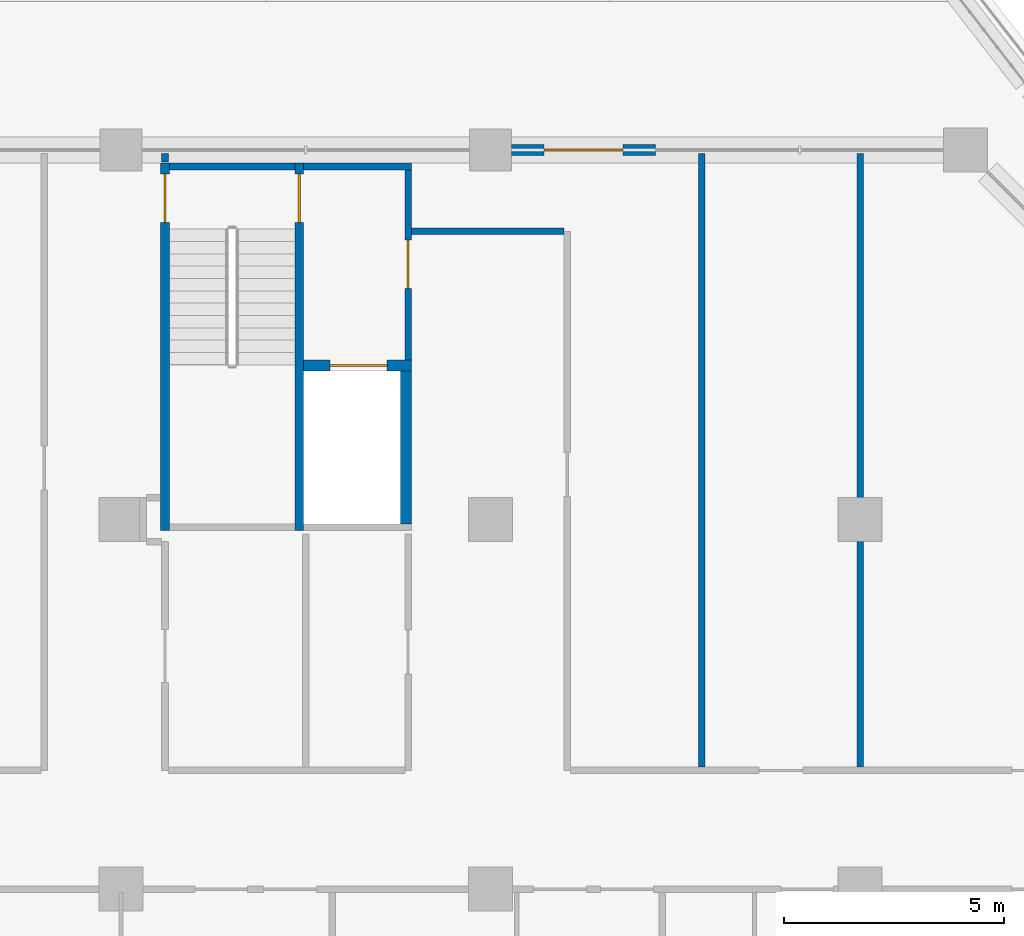
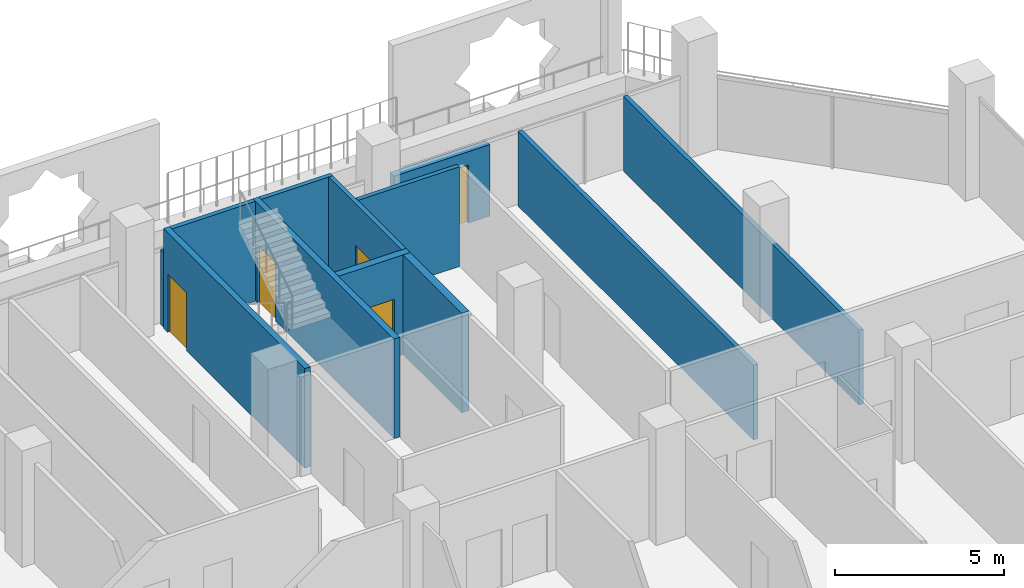
# One storey, part 14 of 22: 12 walls, 5 doors, 5 openings.
"""IFC4 building model written with IfcOpenShell, lengths in metres."""

from ifc_helpers import new_model, si_unit, direction, frame, frame_2d, origin, place, context, subcontext, project, spatial, rectangle, extrude, material, layer, layer_set, type_object, element, fill, save


model = new_model("IFC4")

# Units and contexts
model_context = context("Model", 3, precision=1e-05, world=origin(), true_north=direction((0.0, 1.0)))
body_context = subcontext(model_context, "Body", "Model", "MODEL_VIEW")
ifc_project = project(units=[si_unit("LENGTHUNIT", "METRE"), si_unit("AREAUNIT", "SQUARE_METRE"), si_unit("VOLUMEUNIT", "CUBIC_METRE"), si_unit("PLANEANGLEUNIT", "RADIAN"), si_unit("MASSUNIT", "GRAM", prefix="KILO")], contexts=[model_context])

# Site, building, storey
site_placement = place(None, origin())
site = spatial("IfcSite", under=ifc_project, at=site_placement, CompositionType="ELEMENT")
building_placement = place(site_placement, origin())
building = spatial("IfcBuilding", under=site, at=building_placement, Name="Kawkab Arch Medical Tower", CompositionType="ELEMENT")
storey_placement = place(building_placement, frame((0.0, 0.0, 204.60009765625)))
storey = spatial("IfcBuildingStorey", under=building, at=storey_placement, Name="L47", CompositionType="ELEMENT", Elevation=204.60009765625)

# Wall, opening, door
ifc_material_1 = material(Name="Gypsum board on steel studs", Category="steel")
ifc_layer_1 = layer(ifc_material_1, 0.14990234375)
ifc_layer_set_1 = layer_set([ifc_layer_1], Name="Gypsum board on steel studs")
wall_type_1 = type_object("IfcWallType", Name="Core room partition 150", PredefinedType="PARTITIONING", material=ifc_layer_set_1)
wall_1_placement = place(storey_placement, frame((48.52490234375, -4.77490234375, 0.0), z_axis=(0.0, 0.0, 1.0), x_axis=(0.0, 1.0, 0.0)))
wall_1 = element("IfcWall", 1, at=wall_1_placement, inside=storey, type_object=wall_type_1, Name="L47 core room partition", PredefinedType="PARTITIONING", context=body_context, shape_type="SweptSolid", body=[
    extrude(rectangle(XDim=4.324951171875, YDim=0.14990234375, at=frame_2d((2.16259765625, 0.0))), origin(), (0.0, 0.0, 1.0), 3.599853515625),
])
opening_1_placement = place(wall_1_placement, frame((1.625, 0.0, 0.0)))
opening_1 = element("IfcOpeningElement", 2, at=opening_1_placement, cuts=wall_1, Name="Opening FD", PredefinedType="OPENING", context=body_context, shape_type="SweptSolid", body=[
    extrude(rectangle(XDim=1.10009765625, YDim=2.10009765625, at=frame_2d((0.550048828125, 1.050048828125))), frame((0.0, 0.0849609375, 0.0), z_axis=(0.0, -1.0, 0.0), x_axis=(1.0, 0.0, 0.0)), (0.0, 0.0, 1.0), 0.169921875),
])
ifc_material_2 = material(Name="Hollow metal fire door leaf")
door_type_1 = type_object("IfcDoorType", Name="Firefighting lobby door 1100", OperationType="SINGLE_SWING_LEFT", PredefinedType="DOOR", material=ifc_material_2)
door_1_placement = place(opening_1_placement, origin())
door_1 = element("IfcDoor", 3, at=door_1_placement, inside=storey, type_object=door_type_1, Name="L47 Service lift lobby door SV1", OperationType="SINGLE_SWING_LEFT", OverallHeight=2.10009765625, OverallWidth=1.10009765625, PredefinedType="DOOR", context=body_context, shape_type="SweptSolid", body=[
    extrude(rectangle(XDim=1.10009765625, YDim=2.10009765625, at=frame_2d((0.550048828125, 1.050048828125))), frame((0.0, 0.02490234375, 0.0), z_axis=(0.0, -1.0, 0.0), x_axis=(1.0, 0.0, 0.0)), (0.0, 0.0, 1.0), 0.050048828125),
])
fill(opening_1, door_1)

ifc_material_3 = material(Name="Concrete C60/75", Category="concrete")
ifc_layer_2 = layer(ifc_material_3, 0.25)
ifc_layer_set_2 = layer_set([ifc_layer_2], Name="Concrete C60/75")
wall_type_2 = type_object("IfcWallType", Name="Core shear wall 250 C60/75", PredefinedType="SHEAR", material=ifc_layer_set_2)
wall_2_placement = place(storey_placement, frame((46.14990234375, -4.89990234375, 0.0), z_axis=(0.0, 0.0, 1.0), x_axis=(1.0, 0.0, 0.0)))
wall_2 = element("IfcWall", 4, at=wall_2_placement, inside=storey, type_object=wall_type_2, Name="L47 core shear wall", PredefinedType="SHEAR", context=body_context, shape_type="SweptSolid", body=[
    extrude(rectangle(XDim=2.4501953125, YDim=0.25, at=frame_2d((1.22509765625, 0.0))), origin(), (0.0, 0.0, 1.0), 3.599853515625),
])
opening_2_placement = place(wall_2_placement, frame((0.60009765625, 0.0, 0.0)))
opening_2 = element("IfcOpeningElement", 5, at=opening_2_placement, cuts=wall_2, Name="Opening LD2", PredefinedType="OPENING", context=body_context, shape_type="SweptSolid", body=[
    extrude(rectangle(XDim=1.300048828125, YDim=2.10009765625, at=frame_2d((0.64990234375, 1.050048828125))), frame((0.0, 0.135009765625, 0.0), z_axis=(0.0, -1.0, 0.0), x_axis=(1.0, 0.0, 0.0)), (0.0, 0.0, 1.0), 0.27001953125),
])
ifc_material_4 = material(Name="Stainless steel lift door leaf", Category="steel")
door_type_2 = type_object("IfcDoorType", Name="Lift landing door 1300", OperationType="DOUBLE_DOOR_SLIDING", PredefinedType="DOOR", material=ifc_material_4)
door_2_placement = place(opening_2_placement, origin())
door_2 = element("IfcDoor", 6, at=door_2_placement, inside=storey, type_object=door_type_2, Name="L47 Lift landing door SV1", OperationType="DOUBLE_DOOR_SLIDING", OverallHeight=2.10009765625, OverallWidth=1.300048828125, PredefinedType="DOOR", context=body_context, shape_type="SweptSolid", body=[
    extrude(rectangle(XDim=1.300048828125, YDim=2.10009765625, at=frame_2d((0.64990234375, 1.050048828125))), frame((0.0, 0.02490234375, 0.0), z_axis=(0.0, -1.0, 0.0), x_axis=(1.0, 0.0, 0.0)), (0.0, 0.0, 1.0), 0.050048828125),
])
fill(opening_2, door_2)

# Wall
wall_3_placement = place(storey_placement, frame((48.47509765625, -8.5, 0.0), z_axis=(0.0, 0.0, 1.0), x_axis=(0.0, 1.0, 0.0)))
element("IfcWall", 7, at=wall_3_placement, inside=storey, type_object=wall_type_2, Name="L47 core shear wall", PredefinedType="SHEAR", context=body_context, shape_type="SweptSolid", body=[
    extrude(rectangle(XDim=3.47509765625, YDim=0.25, at=frame_2d((1.737548828125, 0.0))), origin(), (0.0, 0.0, 1.0), 3.599853515625),
])

# Wall, opening, door
ifc_material_5 = material(Name="Bronze clad insulated wall panel")
ifc_layer_3 = layer(ifc_material_5, 0.25)
ifc_layer_set_3 = layer_set([ifc_layer_3], Name="Bronze clad insulated wall panel")
wall_type_3 = type_object("IfcWallType", Name="External wall bay 250", PredefinedType="SOLIDWALL", material=ifc_layer_set_3)
wall_4_placement = place(storey_placement, frame((54.14990234375, 0.0, 0.0), z_axis=(0.0, 0.0, 1.0), x_axis=(-1.0, 0.0, 0.0)))
wall_4 = element("IfcWall", 8, at=wall_4_placement, inside=storey, type_object=wall_type_3, Name="External wall bay L47.R11.1.3", PredefinedType="SOLIDWALL", context=body_context, shape_type="SweptSolid", body=[
    extrude(rectangle(XDim=3.27490234375, YDim=0.25, at=frame_2d((1.637451171875, 0.0))), origin(), (0.0, 0.0, 1.0), 2.579833984375),
])
opening_3_placement = place(wall_4_placement, frame((0.737548828125, 0.0, 0.0)))
opening_3 = element("IfcOpeningElement", 9, at=opening_3_placement, cuts=wall_4, Name="Opening W42-701", PredefinedType="OPENING", context=body_context, shape_type="SweptSolid", body=[
    extrude(rectangle(XDim=1.800048828125, YDim=2.10009765625, at=frame_2d((0.89990234375, 1.050048828125))), frame((0.0, 0.135009765625, 0.0), z_axis=(0.0, -1.0, 0.0), x_axis=(1.0, 0.0, 0.0)), (0.0, 0.0, 1.0), 0.27001953125),
])
ifc_material_6 = material(Name="Bronze anodised aluminium door with tinted glass", Category="aluminium")
door_type_3 = type_object("IfcDoorType", Name="Double external door 1800 x 2100", OperationType="DOUBLE_DOOR_SINGLE_SWING", PredefinedType="DOOR", material=ifc_material_6)
door_3_placement = place(opening_3_placement, origin())
door_3 = element("IfcDoor", 10, at=door_3_placement, inside=storey, type_object=door_type_3, Name="External door L47.R11.1.3", OperationType="DOUBLE_DOOR_SINGLE_SWING", OverallHeight=2.10009765625, OverallWidth=1.800048828125, PredefinedType="DOOR", context=body_context, shape_type="SweptSolid", body=[
    extrude(rectangle(XDim=1.800048828125, YDim=2.10009765625, at=frame_2d((0.89990234375, 1.050048828125))), frame((0.0, 0.02490234375, 0.0), z_axis=(0.0, -1.0, 0.0), x_axis=(1.0, 0.0, 0.0)), (0.0, 0.0, 1.0), 0.050048828125),
])
fill(opening_3, door_3)

# Walls
ifc_material_7 = material(Name="Gypsum board partition on steel studs, mineral wool", Category="steel")
ifc_layer_4 = layer(ifc_material_7, 0.14990234375)
ifc_layer_set_4 = layer_set([ifc_layer_4], Name="Gypsum board partition on steel studs, mineral wool")
wall_type_4 = type_object("IfcWallType", Name="Partition 150", PredefinedType="PARTITIONING", material=ifc_layer_set_4)
wall_5_placement = place(storey_placement, frame((48.60009765625, -1.85009765625, 0.0), z_axis=(0.0, 0.0, 1.0), x_axis=(1.0, 0.0, 0.0)))
element("IfcWall", 11, at=wall_5_placement, inside=storey, type_object=wall_type_4, Name="Partition 150 w030", PredefinedType="PARTITIONING", context=body_context, shape_type="SweptSolid", body=[
    extrude(rectangle(XDim=3.4658203125, YDim=0.14990234375, at=frame_2d((1.73291015625, 0.0))), origin(), (0.0, 0.0, 1.0), 3.599853515625),
])
wall_6_placement = place(storey_placement, frame((43.0, -0.27001953125, 0.0), z_axis=(0.0, 0.0, 1.0), x_axis=(0.0, 1.0, 0.0)))
element("IfcWall", 12, at=wall_6_placement, inside=storey, type_object=wall_type_4, Name="Partition 150 w053", PredefinedType="PARTITIONING", context=body_context, shape_type="SweptSolid", body=[
    extrude(rectangle(XDim=0.18994140625, YDim=0.14990234375, at=frame_2d((0.094970703125, 0.0))), origin(), (0.0, 0.0, 1.0), 2.699951171875),
])
for number, where, z_axis, x_axis, name in (
    (13, (55.199951171875, -14.02490234375, 0.0), (0.0, 0.0, 1.0), (0.0, 1.0, 0.0), "Partition 150 w059"),
    (14, (58.800048828125, -14.02490234375, 0.0), (0.0, 0.0, 1.0), (0.0, 1.0, 0.0), "Partition 150 w061"),
):
    element("IfcWall", number, at=place(storey_placement, frame(where, z_axis=z_axis, x_axis=x_axis)), inside=storey, type_object=wall_type_4, Name=name, PredefinedType="PARTITIONING", context=body_context, shape_type="SweptSolid", body=[
        extrude(rectangle(XDim=13.94482421875, YDim=0.14990234375, at=frame_2d((6.972412109375, 0.0))), origin(), (0.0, 0.0, 1.0), 2.699951171875),
    ])
ifc_material_8 = material(Name="Concrete C50/60", Category="concrete")
ifc_layer_5 = layer(ifc_material_8, 0.14990234375)
ifc_layer_set_5 = layer_set([ifc_layer_5], Name="Concrete C50/60")
wall_type_5 = type_object("IfcWallType", Name="Stair enclosure wall 150 C50/60", PredefinedType="SHEAR", material=ifc_layer_set_5)
wall_7_placement = place(storey_placement, frame((43.10009765625, -0.375, 0.0), z_axis=(0.0, 0.0, 1.0), x_axis=(1.0, 0.0, 0.0)))
element("IfcWall", 15, at=wall_7_placement, inside=storey, type_object=wall_type_5, Name="L47 stair enclosure wall", PredefinedType="SHEAR", context=body_context, shape_type="SweptSolid", body=[
    extrude(rectangle(XDim=2.849853515625, YDim=0.14990234375, at=frame_2d((1.4248046875, 0.0))), origin(), (0.0, 0.0, 1.0), 3.599853515625),
])
wall_8_placement = place(storey_placement, frame((46.14990234375, -0.375, 0.0), z_axis=(0.0, 0.0, 1.0), x_axis=(1.0, 0.0, 0.0)))
element("IfcWall", 16, at=wall_8_placement, inside=storey, type_object=wall_type_5, Name="L47 stair enclosure wall", PredefinedType="SHEAR", context=body_context, shape_type="SweptSolid", body=[
    extrude(rectangle(XDim=2.4501953125, YDim=0.14990234375, at=frame_2d((1.22509765625, 0.0))), origin(), (0.0, 0.0, 1.0), 3.599853515625),
])

# Wall, opening, door
ifc_material_9 = material(Name="Concrete C50/60", Category="concrete")
ifc_layer_6 = layer(ifc_material_9, 0.199951171875)
ifc_layer_set_6 = layer_set([ifc_layer_6], Name="Concrete C50/60")
wall_type_6 = type_object("IfcWallType", Name="Stair enclosure wall 200 C50/60", PredefinedType="SHEAR", material=ifc_layer_set_6)
wall_9_placement = place(storey_placement, frame((43.0, -8.64990234375, 0.0), z_axis=(0.0, 0.0, 1.0), x_axis=(0.0, 1.0, 0.0)))
wall_9 = element("IfcWall", 17, at=wall_9_placement, inside=storey, type_object=wall_type_6, Name="L47 stair enclosure wall", PredefinedType="SHEAR", context=body_context, shape_type="SweptSolid", body=[
    extrude(rectangle(XDim=8.349853515625, YDim=0.199951171875, at=frame_2d((4.1748046875, 0.0))), origin(), (0.0, 0.0, 1.0), 3.599853515625),
])
opening_4_placement = place(wall_9_placement, frame((7.0, 0.0, 0.0)))
opening_4 = element("IfcOpeningElement", 18, at=opening_4_placement, cuts=wall_9, Name="Opening SD", PredefinedType="OPENING", context=body_context, shape_type="SweptSolid", body=[
    extrude(rectangle(XDim=1.10009765625, YDim=2.10009765625, at=frame_2d((0.550048828125, 1.050048828125))), frame((0.0, 0.10986328125, 0.0), z_axis=(0.0, -1.0, 0.0), x_axis=(1.0, 0.0, 0.0)), (0.0, 0.0, 1.0), 0.219970703125),
])
ifc_material_10 = material(Name="Hollow metal fire door leaf")
door_type_4 = type_object("IfcDoorType", Name="Exit stair door 1100", OperationType="SINGLE_SWING_LEFT", PredefinedType="DOOR", material=ifc_material_10)
door_4_placement = place(opening_4_placement, frame((1.10009765625, 0.0, 0.0), z_axis=(0.0, 0.0, 1.0), x_axis=(-1.0, 0.0, 0.0)))
door_4 = element("IfcDoor", 19, at=door_4_placement, inside=storey, type_object=door_type_4, Name="L47 Exit stair ST5 door", OperationType="SINGLE_SWING_LEFT", OverallHeight=2.10009765625, OverallWidth=1.10009765625, PredefinedType="DOOR", context=body_context, shape_type="SweptSolid", body=[
    extrude(rectangle(XDim=1.10009765625, YDim=2.10009765625, at=frame_2d((0.550048828125, 1.050048828125))), frame((0.0, 0.02490234375, 0.0), z_axis=(0.0, -1.0, 0.0), x_axis=(1.0, 0.0, 0.0)), (0.0, 0.0, 1.0), 0.050048828125),
])
fill(opening_4, door_4)

wall_10_placement = place(storey_placement, frame((46.050048828125, -8.64990234375, 0.0), z_axis=(0.0, 0.0, 1.0), x_axis=(0.0, 1.0, 0.0)))
wall_10 = element("IfcWall", 20, at=wall_10_placement, inside=storey, type_object=wall_type_6, Name="L47 stair enclosure wall", PredefinedType="SHEAR", context=body_context, shape_type="SweptSolid", body=[
    extrude(rectangle(XDim=8.349853515625, YDim=0.199951171875, at=frame_2d((4.1748046875, 0.0))), origin(), (0.0, 0.0, 1.0), 3.599853515625),
])
opening_5_placement = place(wall_10_placement, frame((7.0, 0.0, 0.0)))
opening_5 = element("IfcOpeningElement", 21, at=opening_5_placement, cuts=wall_10, Name="Opening SD", PredefinedType="OPENING", context=body_context, shape_type="SweptSolid", body=[
    extrude(rectangle(XDim=1.10009765625, YDim=2.10009765625, at=frame_2d((0.550048828125, 1.050048828125))), frame((0.0, 0.10986328125, 0.0), z_axis=(0.0, -1.0, 0.0), x_axis=(1.0, 0.0, 0.0)), (0.0, 0.0, 1.0), 0.219970703125),
])
door_5_placement = place(opening_5_placement, origin())
door_5 = element("IfcDoor", 22, at=door_5_placement, inside=storey, type_object=door_type_4, Name="L47 Exit stair ST5 lobby door", OperationType="SINGLE_SWING_LEFT", OverallHeight=2.10009765625, OverallWidth=1.10009765625, PredefinedType="DOOR", context=body_context, shape_type="SweptSolid", body=[
    extrude(rectangle(XDim=1.10009765625, YDim=2.10009765625, at=frame_2d((0.550048828125, 1.050048828125))), frame((0.0, 0.02490234375, 0.0), z_axis=(0.0, -1.0, 0.0), x_axis=(1.0, 0.0, 0.0)), (0.0, 0.0, 1.0), 0.050048828125),
])
fill(opening_5, door_5)

save(model, "model.ifc")
